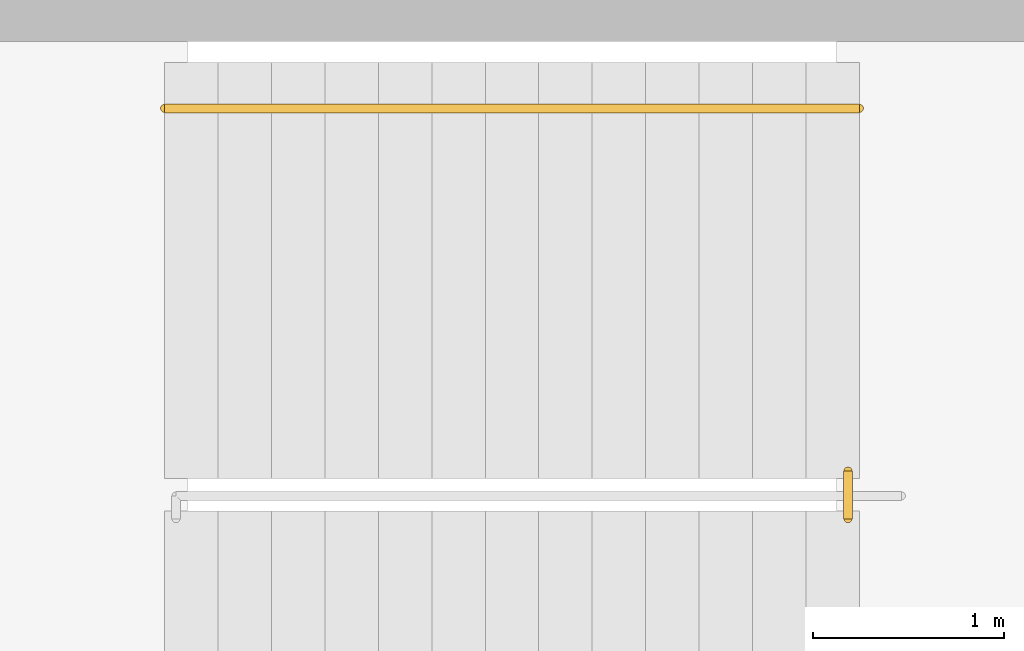
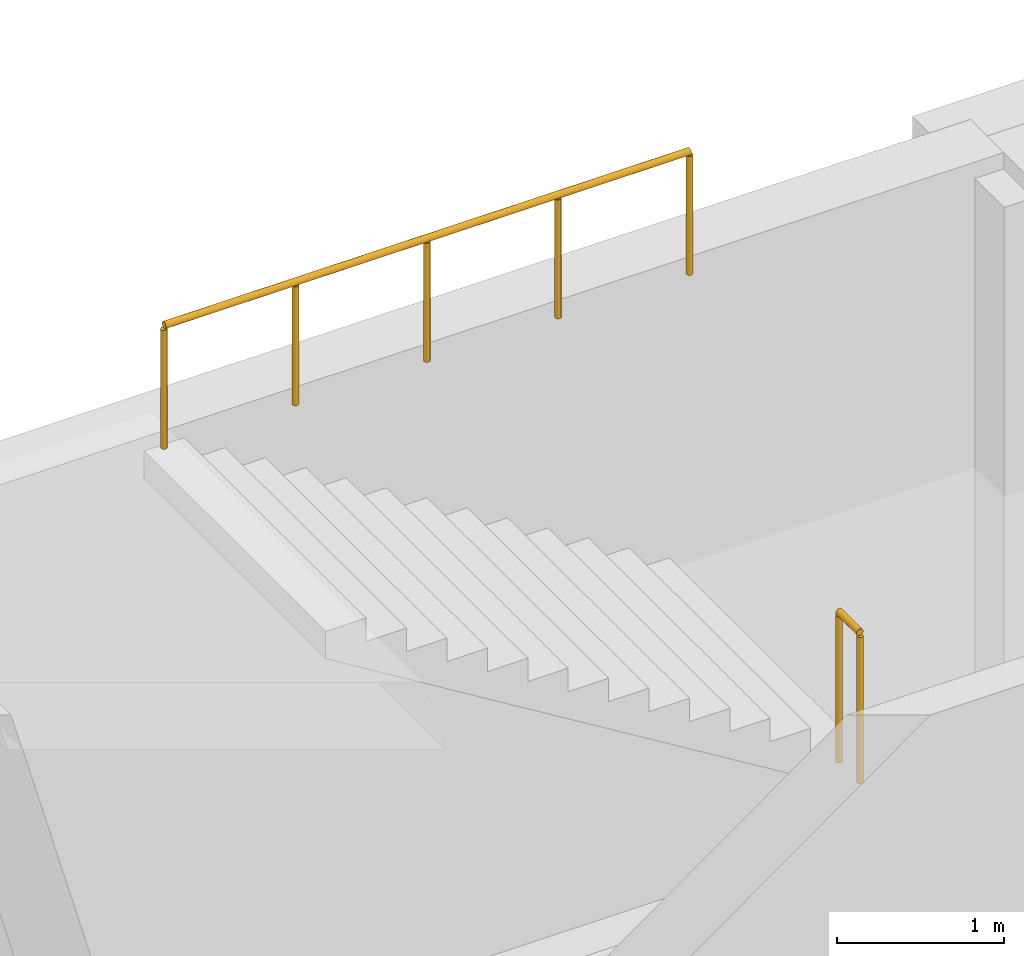
# One storey, part 105 of 112: 2 railings.
"""IFC4 building model written with IfcOpenShell, lengths in metres."""

from ifc_helpers import new_model, si_unit, direction, frame, origin, origin_2d, place, context, subcontext, project, spatial, circle, extrude, material, type_object, element, save


model = new_model("IFC4")

# Units and contexts
model_context = context("Model", 3, precision=1e-05, world=origin(), true_north=direction((0.0, 1.0)))
body_context = subcontext(model_context, "Body", "Model", "MODEL_VIEW")
ifc_project = project(units=[si_unit("LENGTHUNIT", "METRE"), si_unit("AREAUNIT", "SQUARE_METRE"), si_unit("VOLUMEUNIT", "CUBIC_METRE"), si_unit("PLANEANGLEUNIT", "RADIAN"), si_unit("MASSUNIT", "GRAM", prefix="KILO")], contexts=[model_context])

# Site, building, storey
site_placement = place(None, origin())
site = spatial("IfcSite", under=ifc_project, at=site_placement, CompositionType="ELEMENT")
building_placement = place(site_placement, origin())
building = spatial("IfcBuilding", under=site, at=building_placement, Name="Solvikara Media Centre", CompositionType="ELEMENT")
storey_placement = place(building_placement, frame((0.0, 0.0, 5.39990234375)))
storey = spatial("IfcBuildingStorey", under=building, at=storey_placement, Name="L01", CompositionType="ELEMENT", Elevation=5.39990234375)

# Railings
ifc_material = material(Name="Steel S355JR", Category="steel")
railing_type_1 = type_object("IfcRailingType", Name="GR-02", PredefinedType="BALUSTRADE", material=ifc_material)
railing_1_placement = place(storey_placement, frame((73.860107421875, 34.10009765625, 2.400146484375)))
element("IfcRailing", 1, at=railing_1_placement, inside=storey, type_object=railing_type_1, Name="GR-C3-L01-M", PredefinedType="BALUSTRADE", context=body_context, shape_type="SweptSolid", body=[
    extrude(circle(Radius=0.02392578125, at=origin_2d()), frame((0.0, 0.0, 1.09619140625), z_axis=(0.0, 1.0, 0.0), x_axis=(-1.0, 0.0, 0.0)), (0.0, 0.0, 1.0), 0.25),
    extrude(circle(Radius=0.02099609375, at=origin_2d()), origin(), (0.0, 0.0, 1.0), 1.072021484375),
    extrude(circle(Radius=0.02099609375, at=origin_2d()), frame((0.0, 0.25, 0.0)), (0.0, 0.0, 1.0), 1.072021484375),
])
railing_type_2 = type_object("IfcRailingType", Name="HR-01", PredefinedType="HANDRAIL", material=ifc_material)
railing_2_placement = place(storey_placement, frame((73.919921875, 36.25, 4.800048828125)))
element("IfcRailing", 2, at=railing_2_placement, inside=storey, type_object=railing_type_2, Name="HR-C3-L01-2", PredefinedType="HANDRAIL", context=body_context, shape_type="SweptSolid", body=[
    extrude(circle(Radius=0.02392578125, at=origin_2d()), frame((0.0, 0.0, 0.89599609375), z_axis=(-1.0, 0.0, 0.0), x_axis=(0.0, -1.0, 0.0)), (0.0, 0.0, 1.0), 3.639892578125),
    extrude(circle(Radius=0.02099609375, at=origin_2d()), origin(), (0.0, 0.0, 1.0), 0.871826171875),
    extrude(circle(Radius=0.02099609375, at=origin_2d()), frame((-0.909912109375, 0.0, 0.0)), (0.0, 0.0, 1.0), 0.871826171875),
    extrude(circle(Radius=0.02099609375, at=origin_2d()), frame((-1.81982421875, 0.0, 0.0)), (0.0, 0.0, 1.0), 0.871826171875),
    extrude(circle(Radius=0.02099609375, at=origin_2d()), frame((-2.72998046875, 0.0, 0.0)), (0.0, 0.0, 1.0), 0.871826171875),
    extrude(circle(Radius=0.02099609375, at=origin_2d()), frame((-3.639892578125, 0.0, 0.0)), (0.0, 0.0, 1.0), 0.871826171875),
])

save(model, "model.ifc")
